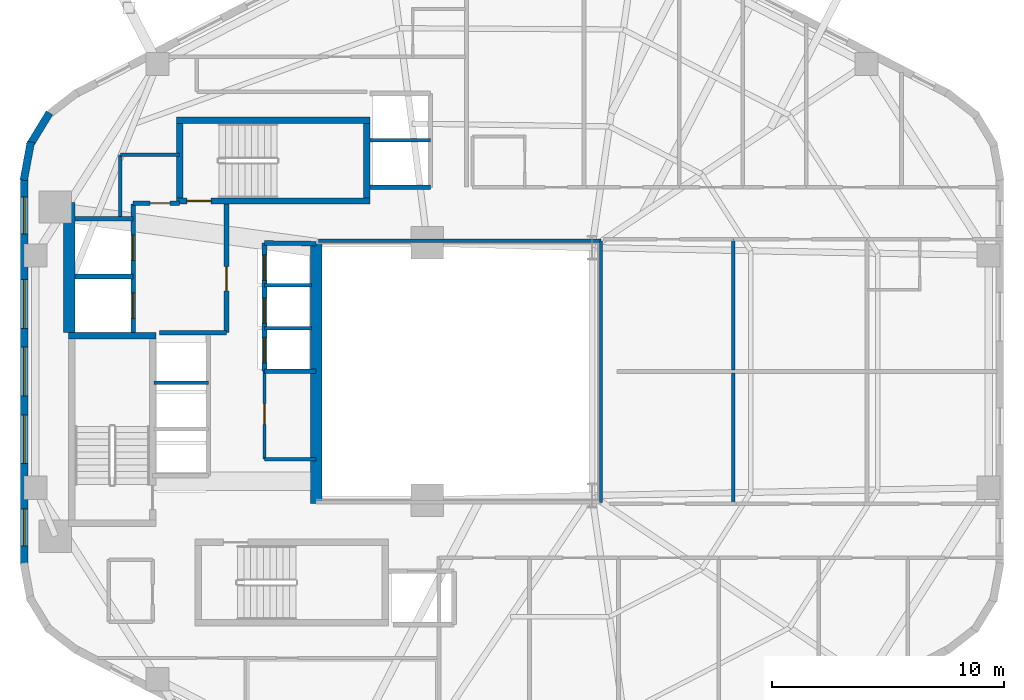
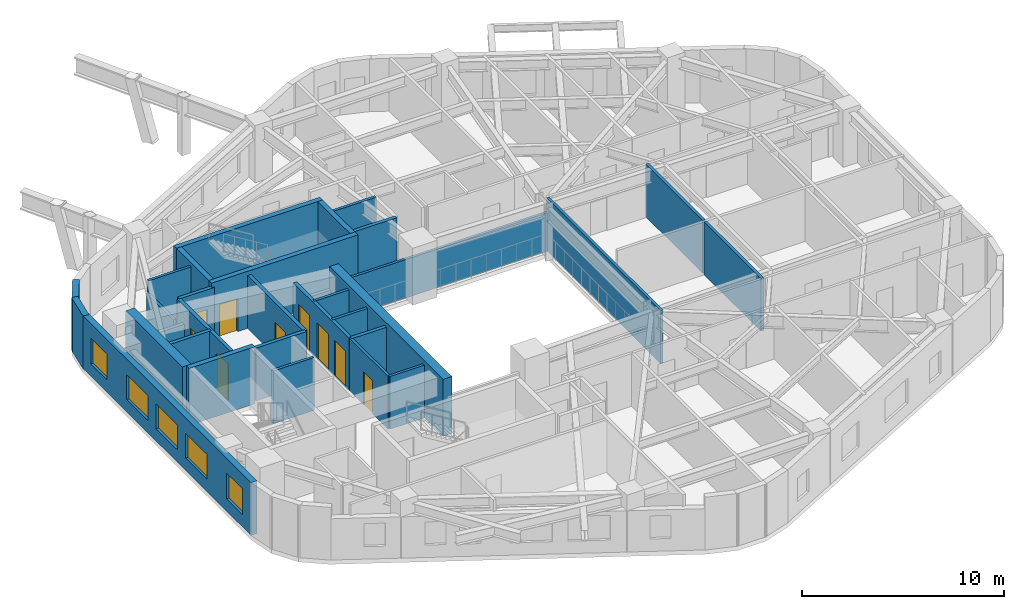
# One storey, part 4 of 8: 32 walls, 9 doors, 5 windows, 14 openings.
"""IFC4 building model written with IfcOpenShell, lengths in metres."""

from ifc_helpers import new_model, si_unit, direction, frame, frame_2d, origin, place, context, subcontext, project, spatial, rectangle, extrude, material, layer, layer_set, type_object, element, fill, save


model = new_model("IFC4")

# Units and contexts
model_context = context("Model", 3, precision=1e-05, world=origin(), true_north=direction((0.0, 1.0)))
body_context = subcontext(model_context, "Body", "Model", "MODEL_VIEW")
ifc_project = project(units=[si_unit("LENGTHUNIT", "METRE"), si_unit("AREAUNIT", "SQUARE_METRE"), si_unit("VOLUMEUNIT", "CUBIC_METRE"), si_unit("PLANEANGLEUNIT", "RADIAN"), si_unit("MASSUNIT", "GRAM", prefix="KILO"), si_unit("THERMODYNAMICTEMPERATUREUNIT", "KELVIN"), si_unit("POWERUNIT", "WATT")], contexts=[model_context])

# Site, building, storey
site_placement = place(None, origin())
site = spatial("IfcSite", under=ifc_project, at=site_placement, CompositionType="ELEMENT")
building_placement = place(site_placement, origin())
building = spatial("IfcBuilding", under=site, at=building_placement, Name="Skarre Station Tower", CompositionType="ELEMENT")
storey_placement = place(building_placement, frame((0.0, 0.0, 129.14990234375)))
storey = spatial("IfcBuildingStorey", under=building, at=storey_placement, Name="L34", CompositionType="ELEMENT", Elevation=129.14990234375)

# Wall, opening, door
ifc_material_1 = material(Name="Acoustic Steel-Stud Gypsum Partition", Category="steel")
ifc_layer_1 = layer(ifc_material_1, 0.14990234375, Name="Acoustic Steel-Stud Gypsum Partition")
ifc_layer_set_1 = layer_set([ifc_layer_1], Name="Acoustic Steel-Stud Gypsum Partition")
wall_type_1 = type_object("IfcWallType", Name="Fire-Rated Corridor Acoustic Partition 150", PredefinedType="PARTITIONING", material=ifc_layer_set_1)
wall_1_placement = place(storey_placement, frame((25.320068359375, 24.02001953125, 0.0), z_axis=(0.0, 0.0, 1.0), x_axis=(0.0, -1.0, 0.0)))
wall_1 = element("IfcWall", 1, at=wall_1_placement, inside=storey, type_object=wall_type_1, Name="L34 Interior Partition WL-PT-L34-RC1-W", PredefinedType="PARTITIONING", context=body_context, shape_type="SweptSolid", body=[
    extrude(rectangle(XDim=3.800048828125, YDim=0.14990234375, at=frame_2d((1.89990234375, 0.0))), origin(), (0.0, 0.0, 1.0), 3.190185546875),
])
opening_1_placement = place(wall_1_placement, frame((1.39990234375, 0.0, 0.0)))
opening_1 = element("IfcOpeningElement", 2, at=opening_1_placement, cuts=wall_1, Name="Opening DR-SVC90", PredefinedType="OPENING", context=body_context, shape_type="SweptSolid", body=[
    extrude(rectangle(XDim=0.89990234375, YDim=2.0, at=frame_2d((0.449951171875, 1.0))), frame((0.0, 0.0849609375, 0.0), z_axis=(0.0, -1.0, 0.0), x_axis=(1.0, 0.0, 0.0)), (0.0, 0.0, 1.0), 0.169921875),
])
ifc_material_2 = material(Name="Powder-Coated Hollow-Metal Acoustic Fire Leaf", Category="steel")
door_type_1 = type_object("IfcDoorType", Name="Service & Riser Fire Door FD60 900x2100", OperationType="SINGLE_SWING_LEFT", PredefinedType="DOOR", material=ifc_material_2)
door_1_placement = place(opening_1_placement, origin())
door_1 = element("IfcDoor", 3, at=door_1_placement, inside=storey, type_object=door_type_1, Name="L34 Housekeeping Room Door", OperationType="SINGLE_SWING_LEFT", OverallHeight=2.0, OverallWidth=0.89990234375, PredefinedType="DOOR", context=body_context, shape_type="SweptSolid", body=[
    extrude(rectangle(XDim=0.89990234375, YDim=2.0, at=frame_2d((0.449951171875, 1.0))), frame((0.0, 0.02490234375, 0.0), z_axis=(0.0, -1.0, 0.0), x_axis=(1.0, 0.0, 0.0)), (0.0, 0.0, 1.0), 0.050048828125),
])
fill(opening_1, door_1)

# Walls
wall_2_placement = place(storey_placement, frame((25.320068359375, 20.219970703125, 0.0), z_axis=(0.0, 0.0, 1.0), x_axis=(1.0, 0.0, 0.0)))
element("IfcWall", 4, at=wall_2_placement, inside=storey, type_object=wall_type_1, Name="L34 Interior Partition WL-PT-L34-RC1-S", PredefinedType="PARTITIONING", context=body_context, shape_type="SweptSolid", body=[
    extrude(rectangle(XDim=2.22998046875, YDim=0.14990234375, at=frame_2d((1.114990234375, 0.0))), origin(), (0.0, 0.0, 1.0), 3.190185546875),
])
wall_3_placement = place(storey_placement, frame((19.10009765625, 33.35009765625, 0.0), z_axis=(0.0, 0.0, 1.0), x_axis=(0.0, -1.0, 0.0)))
element("IfcWall", 5, at=wall_3_placement, inside=storey, type_object=wall_type_1, Name="L34 Interior Partition WL-PT-L34-CNW-W", PredefinedType="PARTITIONING", context=body_context, shape_type="SweptSolid", body=[
    extrude(rectangle(XDim=2.655029296875, YDim=0.14990234375, at=frame_2d((1.32763671875, 0.0))), origin(), (0.0, 0.0, 1.0), 2.420166015625),
])
wall_4_placement = place(storey_placement, frame((21.659912109375, 33.35009765625, 0.0), z_axis=(0.0, 0.0, 1.0), x_axis=(-1.0, 0.0, 0.0)))
element("IfcWall", 6, at=wall_4_placement, inside=storey, type_object=wall_type_1, Name="L34 Interior Partition WL-PT-L34-CNW-N1", PredefinedType="PARTITIONING", context=body_context, shape_type="SweptSolid", body=[
    extrude(rectangle(XDim=2.559814453125, YDim=0.14990234375, at=frame_2d((1.27978515625, 0.0))), origin(), (0.0, 0.0, 1.0), 3.190185546875),
])
wall_5_placement = place(storey_placement, frame((39.840087890625, 29.639892578125, 0.0), z_axis=(0.0, 0.0, 1.0), x_axis=(-1.0, 0.0, 0.0)))
element("IfcWall", 7, at=wall_5_placement, inside=storey, type_object=wall_type_1, Name="L34 Interior Partition WL-PT-L34-ATRW-N", PredefinedType="PARTITIONING", context=body_context, shape_type="SweptSolid", body=[
    extrude(rectangle(XDim=12.2001953125, YDim=0.14990234375, at=frame_2d((6.10009765625, 0.0))), origin(), (0.0, 0.0, 1.0), 2.3310546875),
])
wall_6_placement = place(storey_placement, frame((39.840087890625, 18.360107421875, 0.0), z_axis=(0.0, 0.0, 1.0), x_axis=(0.0, 1.0, 0.0)))
element("IfcWall", 8, at=wall_6_placement, inside=storey, type_object=wall_type_1, Name="L34 Interior Partition WL-PT-L34-ATRW-E", PredefinedType="PARTITIONING", context=body_context, shape_type="SweptSolid", body=[
    extrude(rectangle(XDim=11.27978515625, YDim=0.14990234375, at=frame_2d((5.639892578125, 0.0))), origin(), (0.0, 0.0, 1.0), 3.190185546875),
])

# Wall, openings, windows
ifc_material_3 = material(Name="Precast concrete C45/55", Category="concrete")
ifc_layer_2 = layer(ifc_material_3, 0.340087890625, Name="Precast concrete C45/55")
ifc_layer_set_2 = layer_set([ifc_layer_2], Name="Precast concrete C45/55")
wall_type_2 = type_object("IfcWallType", Name="Nordic Honed Precast Facet Wall 340", PredefinedType="STANDARD", material=ifc_layer_set_2)
wall_7_placement = place(storey_placement, frame((14.951904296875, 15.64794921875, 0.0), z_axis=(0.0, 0.0, 1.0), x_axis=(0.0, 1.0, 0.0)))
wall_7 = element("IfcWall", 9, at=wall_7_placement, inside=storey, type_object=wall_type_2, Name="L34 Facet 2 Nordic Precast Masonry Wall", PredefinedType="STANDARD", context=body_context, shape_type="SweptSolid", body=[
    extrude(rectangle(XDim=16.7041015625, YDim=0.340087890625, at=frame_2d((8.35205078125, 0.0))), origin(), (0.0, 0.0, 1.0), 3.190185546875),
])
opening_2_placement = place(wall_7_placement, frame((0.825927734375, 0.0, 0.75)))
opening_2 = element("IfcOpeningElement", 10, at=opening_2_placement, cuts=wall_7, Name="Opening WN-Z2A", PredefinedType="OPENING", context=body_context, shape_type="SweptSolid", body=[
    extrude(rectangle(XDim=1.60009765625, YDim=1.550048828125, at=frame_2d((0.800048828125, 0.77490234375))), frame((0.0, 0.179931640625, 0.0), z_axis=(0.0, -1.0, 0.0), x_axis=(1.0, 0.0, 0.0)), (0.0, 0.0, 1.0), 0.360107421875),
])
opening_3_placement = place(wall_7_placement, frame((4.387939453125, 0.0, 0.75)))
opening_3 = element("IfcOpeningElement", 11, at=opening_3_placement, cuts=wall_7, Name="Opening WN-Z2B", PredefinedType="OPENING", context=body_context, shape_type="SweptSolid", body=[
    extrude(rectangle(XDim=2.10009765625, YDim=1.5, at=frame_2d((1.050048828125, 0.75))), frame((0.0, 0.179931640625, 0.0), z_axis=(0.0, -1.0, 0.0), x_axis=(1.0, 0.0, 0.0)), (0.0, 0.0, 1.0), 0.360107421875),
])
opening_4_placement = place(wall_7_placement, frame((7.302001953125, 0.0, 0.75)))
opening_4 = element("IfcOpeningElement", 12, at=opening_4_placement, cuts=wall_7, Name="Opening WN-Z2B", PredefinedType="OPENING", context=body_context, shape_type="SweptSolid", body=[
    extrude(rectangle(XDim=2.10009765625, YDim=1.5, at=frame_2d((1.050048828125, 0.75))), frame((0.0, 0.179931640625, 0.0), z_axis=(0.0, -1.0, 0.0), x_axis=(1.0, 0.0, 0.0)), (0.0, 0.0, 1.0), 0.360107421875),
])
opening_5_placement = place(wall_7_placement, frame((10.216064453125, 0.0, 0.75)))
opening_5 = element("IfcOpeningElement", 13, at=opening_5_placement, cuts=wall_7, Name="Opening WN-Z2B", PredefinedType="OPENING", context=body_context, shape_type="SweptSolid", body=[
    extrude(rectangle(XDim=2.10009765625, YDim=1.5, at=frame_2d((1.050048828125, 0.75))), frame((0.0, 0.179931640625, 0.0), z_axis=(0.0, -1.0, 0.0), x_axis=(1.0, 0.0, 0.0)), (0.0, 0.0, 1.0), 0.360107421875),
])
opening_6_placement = place(wall_7_placement, frame((14.278076171875, 0.0, 0.75)))
opening_6 = element("IfcOpeningElement", 14, at=opening_6_placement, cuts=wall_7, Name="Opening WN-Z2A", PredefinedType="OPENING", context=body_context, shape_type="SweptSolid", body=[
    extrude(rectangle(XDim=1.60009765625, YDim=1.550048828125, at=frame_2d((0.800048828125, 0.77490234375))), frame((0.0, 0.179931640625, 0.0), z_axis=(0.0, -1.0, 0.0), x_axis=(1.0, 0.0, 0.0)), (0.0, 0.0, 1.0), 0.360107421875),
])
ifc_material_4 = material(Name="Low-Iron Triple Glazing with Bronze Anodized Frame", Category="glass")
window_type_1 = type_object("IfcWindowType", Name="Nordic Residential Tall Window 1600x1550", PartitioningType="SINGLE_PANEL", PredefinedType="WINDOW", material=ifc_material_4)
window_1_placement = place(opening_2_placement, origin())
window_1 = element("IfcWindow", 15, at=window_1_placement, inside=storey, type_object=window_type_1, Name="L34 Facade Window WL-FAC-L34-F2-1", OverallHeight=1.550048828125, OverallWidth=1.60009765625, PartitioningType="SINGLE_PANEL", PredefinedType="WINDOW", context=body_context, shape_type="SweptSolid", body=[
    extrude(rectangle(XDim=1.60009765625, YDim=1.550048828125, at=frame_2d((0.800048828125, 0.77490234375))), frame((0.0, 0.030029296875, 0.0), z_axis=(0.0, -1.0, 0.0), x_axis=(1.0, 0.0, 0.0)), (0.0, 0.0, 1.0), 0.06005859375),
])
fill(opening_2, window_1)
window_2_placement = place(opening_6_placement, origin())
window_2 = element("IfcWindow", 16, at=window_2_placement, inside=storey, type_object=window_type_1, Name="L34 Facade Window WL-FAC-L34-F2-5", OverallHeight=1.550048828125, OverallWidth=1.60009765625, PartitioningType="SINGLE_PANEL", PredefinedType="WINDOW", context=body_context, shape_type="SweptSolid", body=[
    extrude(rectangle(XDim=1.60009765625, YDim=1.550048828125, at=frame_2d((0.800048828125, 0.77490234375))), frame((0.0, 0.030029296875, 0.0), z_axis=(0.0, -1.0, 0.0), x_axis=(1.0, 0.0, 0.0)), (0.0, 0.0, 1.0), 0.06005859375),
])
fill(opening_6, window_2)
window_type_2 = type_object("IfcWindowType", Name="Nordic Residential Twin Window 2100x1500", PartitioningType="SINGLE_PANEL", PredefinedType="WINDOW", material=ifc_material_4)
window_3_placement = place(opening_3_placement, origin())
window_3 = element("IfcWindow", 17, at=window_3_placement, inside=storey, type_object=window_type_2, Name="L34 Facade Window WL-FAC-L34-F2-2", OverallHeight=1.5, OverallWidth=2.10009765625, PartitioningType="SINGLE_PANEL", PredefinedType="WINDOW", context=body_context, shape_type="SweptSolid", body=[
    extrude(rectangle(XDim=2.10009765625, YDim=1.5, at=frame_2d((1.050048828125, 0.75))), frame((0.0, 0.030029296875, 0.0), z_axis=(0.0, -1.0, 0.0), x_axis=(1.0, 0.0, 0.0)), (0.0, 0.0, 1.0), 0.06005859375),
])
fill(opening_3, window_3)
window_4_placement = place(opening_4_placement, origin())
window_4 = element("IfcWindow", 18, at=window_4_placement, inside=storey, type_object=window_type_2, Name="L34 Facade Window WL-FAC-L34-F2-3", OverallHeight=1.5, OverallWidth=2.10009765625, PartitioningType="SINGLE_PANEL", PredefinedType="WINDOW", context=body_context, shape_type="SweptSolid", body=[
    extrude(rectangle(XDim=2.10009765625, YDim=1.5, at=frame_2d((1.050048828125, 0.75))), frame((0.0, 0.030029296875, 0.0), z_axis=(0.0, -1.0, 0.0), x_axis=(1.0, 0.0, 0.0)), (0.0, 0.0, 1.0), 0.06005859375),
])
fill(opening_4, window_4)
window_5_placement = place(opening_5_placement, origin())
window_5 = element("IfcWindow", 19, at=window_5_placement, inside=storey, type_object=window_type_2, Name="L34 Facade Window WL-FAC-L34-F2-4", OverallHeight=1.5, OverallWidth=2.10009765625, PartitioningType="SINGLE_PANEL", PredefinedType="WINDOW", context=body_context, shape_type="SweptSolid", body=[
    extrude(rectangle(XDim=2.10009765625, YDim=1.5, at=frame_2d((1.050048828125, 0.75))), frame((0.0, 0.030029296875, 0.0), z_axis=(0.0, -1.0, 0.0), x_axis=(1.0, 0.0, 0.0)), (0.0, 0.0, 1.0), 0.06005859375),
])
fill(opening_5, window_5)

# Walls
ifc_layer_3 = layer(ifc_material_3, 0.330078125, Name="Precast concrete C45/55")
ifc_layer_set_3 = layer_set([ifc_layer_3], Name="Precast concrete C45/55")
wall_type_3 = type_object("IfcWallType", Name="Nordic Rounded Corner Precast Wall 330", PredefinedType="STANDARD", material=ifc_layer_set_3)
wall_8_placement = place(storey_placement, frame((14.931884765625, 32.258056640625, 0.0), z_axis=(0.0, 0.0, 1.0), x_axis=(0.181984991895, 0.983301308209, 0.0)))
element("IfcWall", 20, at=wall_8_placement, inside=storey, type_object=wall_type_3, Name="L34 Rounded Corner Precast Wall F2-1", PredefinedType="STANDARD", context=body_context, shape_type="SweptSolid", body=[
    extrude(rectangle(XDim=1.677001953125, YDim=0.330078125, at=frame_2d((0.83837890625, 0.0))), origin(), (0.0, 0.0, 1.0), 3.190185546875),
])
wall_9_placement = place(storey_placement, frame((15.169921875, 33.73193359375, 0.0), z_axis=(0.0, 0.0, 1.0), x_axis=(0.520519429557, 0.853849824883, 0.0)))
element("IfcWall", 21, at=wall_9_placement, inside=storey, type_object=wall_type_3, Name="L34 Rounded Corner Precast Wall F2-2", PredefinedType="STANDARD", context=body_context, shape_type="SweptSolid", body=[
    extrude(rectangle(XDim=1.67724609375, YDim=0.330078125, at=frame_2d((0.838623046875, 0.0))), origin(), (0.0, 0.0, 1.0), 3.190185546875),
])
ifc_material_5 = material(Name="Concrete C50/60", Category="concrete")
ifc_layer_4 = layer(ifc_material_5, 0.280029296875, Name="Concrete C50/60")
ifc_layer_set_4 = layer_set([ifc_layer_4], Name="Concrete C50/60")
wall_type_4 = type_object("IfcWallType", Name="RC Core Shear Wall 280", PredefinedType="SHEAR", material=ifc_layer_set_4)
wall_10_placement = place(storey_placement, frame((20.6298828125, 25.5400390625, 0.0), z_axis=(0.0, 0.0, 1.0), x_axis=(-1.0, 0.0, 0.0)))
element("IfcWall", 22, at=wall_10_placement, inside=storey, type_object=wall_type_4, Name="L34 Stair ST-1 North Shear Wall", PredefinedType="SHEAR", context=body_context, shape_type="SweptSolid", body=[
    extrude(rectangle(XDim=3.759765625, YDim=0.280029296875, at=frame_2d((1.8798828125, 0.0))), origin(), (0.0, 0.0, 1.0), 3.4501953125),
])

# Wall, opening, door
wall_11_placement = place(storey_placement, frame((21.52001953125, 31.360107421875, 0.0), z_axis=(0.0, 0.0, 1.0), x_axis=(1.0, 0.0, 0.0)))
wall_11 = element("IfcWall", 23, at=wall_11_placement, inside=storey, type_object=wall_type_4, Name="L34 Stair ST-3 South Shear Wall", PredefinedType="SHEAR", context=body_context, shape_type="SweptSolid", body=[
    extrude(rectangle(XDim=8.35986328125, YDim=0.280029296875, at=frame_2d((4.179931640625, 0.0))), origin(), (0.0, 0.0, 1.0), 3.4501953125),
])
opening_7_placement = place(wall_11_placement, frame((0.449951171875, 0.0, 0.0)))
opening_7 = element("IfcOpeningElement", 24, at=opening_7_placement, cuts=wall_11, Name="Opening DR-FD90", PredefinedType="OPENING", context=body_context, shape_type="SweptSolid", body=[
    extrude(rectangle(XDim=1.050048828125, YDim=2.0, at=frame_2d((0.52490234375, 1.0))), frame((0.0, 0.14990234375, 0.0), z_axis=(0.0, -1.0, 0.0), x_axis=(1.0, 0.0, 0.0)), (0.0, 0.0, 1.0), 0.300048828125),
])
ifc_material_6 = material(Name="Fire-Rated Insulated Steel Frame & Timber Core Leaf", Category="steel")
door_type_2 = type_object("IfcDoorType", Name="Stair & FSAE Lobby Fire Door FD90 1050x2150", OperationType="SINGLE_SWING_RIGHT", PredefinedType="DOOR", material=ifc_material_6)
door_2_placement = place(opening_7_placement, origin())
door_2 = element("IfcDoor", 25, at=door_2_placement, inside=storey, type_object=door_type_2, Name="L34 Stair ST-3 & FSAE Lobby Direct Exit Door", OperationType="SINGLE_SWING_LEFT", OverallHeight=2.0, OverallWidth=1.050048828125, PredefinedType="DOOR", context=body_context, shape_type="SweptSolid", body=[
    extrude(rectangle(XDim=1.050048828125, YDim=2.0, at=frame_2d((0.52490234375, 1.0))), frame((0.0, 0.02490234375, 0.0), z_axis=(0.0, -1.0, 0.0), x_axis=(1.0, 0.0, 0.0)), (0.0, 0.0, 1.0), 0.050048828125),
])
fill(opening_7, door_2)

# Walls
wall_12_placement = place(storey_placement, frame((29.8798828125, 34.840087890625, 0.0), z_axis=(0.0, 0.0, 1.0), x_axis=(-1.0, 0.0, 0.0)))
element("IfcWall", 26, at=wall_12_placement, inside=storey, type_object=wall_type_4, Name="L34 Stair ST-3 North Shear Wall", PredefinedType="SHEAR", context=body_context, shape_type="SweptSolid", body=[
    extrude(rectangle(XDim=8.35986328125, YDim=0.280029296875, at=frame_2d((4.179931640625, 0.0))), origin(), (0.0, 0.0, 1.0), 3.4501953125),
])
for number, where, z_axis, x_axis, name in (
    (27, (21.659912109375, 34.699951171875, 0.0), (0.0, 0.0, 1.0), (0.0, -1.0, 0.0), "L34 Stair ST-3 West Shear Wall"),
    (28, (29.739990234375, 31.5, 0.0), (0.0, 0.0, 1.0), (0.0, 1.0, 0.0), "L34 Stair ST-3 East Shear Wall"),
):
    element("IfcWall", number, at=place(storey_placement, frame(where, z_axis=z_axis, x_axis=x_axis)), inside=storey, type_object=wall_type_4, Name=name, PredefinedType="SHEAR", context=body_context, shape_type="SweptSolid", body=[
        extrude(rectangle(XDim=3.199951171875, YDim=0.280029296875, at=frame_2d((1.60009765625, 0.0))), origin(), (0.0, 0.0, 1.0), 3.4501953125),
    ])
ifc_material_7 = material(Name="Concrete C70/85", Category="concrete")
ifc_layer_5 = layer(ifc_material_7, 0.5, Name="Concrete C70/85")
ifc_layer_set_5 = layer_set([ifc_layer_5], Name="Concrete C70/85")
wall_type_5 = type_object("IfcWallType", Name="RC Core Shear Wall 500", PredefinedType="SHEAR", material=ifc_layer_set_5)
wall_13_placement = place(storey_placement, frame((16.89990234375, 25.679931640625, 0.0), z_axis=(0.0, 0.0, 1.0), x_axis=(0.0, 1.0, 0.0)))
element("IfcWall", 29, at=wall_13_placement, inside=storey, type_object=wall_type_5, Name="L34 Core West-North Shear Wall", PredefinedType="SHEAR", context=body_context, shape_type="SweptSolid", body=[
    extrude(rectangle(XDim=5.6201171875, YDim=0.5, at=frame_2d((2.81005859375, 0.0))), origin(), (0.0, 0.0, 1.0), 3.4501953125),
])
wall_14_placement = place(storey_placement, frame((27.550048828125, 29.550048828125, 0.0), z_axis=(0.0, 0.0, 1.0), x_axis=(0.0, -1.0, 0.0)))
element("IfcWall", 30, at=wall_14_placement, inside=storey, type_object=wall_type_5, Name="L34 Core East Atrium Shear Wall", PredefinedType="SHEAR", context=body_context, shape_type="SweptSolid", body=[
    extrude(rectangle(XDim=11.25, YDim=0.5, at=frame_2d((5.625, 0.0))), origin(), (0.0, 0.0, 1.0), 3.4501953125),
])

# Wall, openings, doors
ifc_material_8 = material(Name="Gypsum Concrete Shaft Assembly C30/37", Category="concrete")
ifc_layer_6 = layer(ifc_material_8, 0.199951171875, Name="Gypsum Concrete Shaft Assembly C30/37")
ifc_layer_set_6 = layer_set([ifc_layer_6], Name="Gypsum Concrete Shaft Assembly C30/37")
wall_type_6 = type_object("IfcWallType", Name="Shaft & Core Fire Partition 200", PredefinedType="PARTITIONING", material=ifc_layer_set_6)
wall_15_placement = place(storey_placement, frame((19.64990234375, 25.679931640625, 0.0), z_axis=(0.0, 0.0, 1.0), x_axis=(0.0, 1.0, 0.0)))
wall_15 = element("IfcWall", 31, at=wall_15_placement, inside=storey, type_object=wall_type_6, Name="L34 Interior Partition WL-PT-L34-FSAE-W", PredefinedType="PARTITIONING", context=body_context, shape_type="SweptSolid", body=[
    extrude(rectangle(XDim=5.5400390625, YDim=0.199951171875, at=frame_2d((2.77001953125, 0.0))), origin(), (0.0, 0.0, 1.0), 3.190185546875),
])
opening_8_placement = place(wall_15_placement, frame((0.6201171875, 0.0, 0.0)))
opening_8 = element("IfcOpeningElement", 32, at=opening_8_placement, cuts=wall_15, Name="Opening LD-FF1", PredefinedType="OPENING", context=body_context, shape_type="SweptSolid", body=[
    extrude(rectangle(XDim=1.10009765625, YDim=2.199951171875, at=frame_2d((0.550048828125, 1.10009765625))), frame((0.0, 0.10986328125, 0.0), z_axis=(0.0, -1.0, 0.0), x_axis=(1.0, 0.0, 0.0)), (0.0, 0.0, 1.0), 0.219970703125),
])
opening_9_placement = place(wall_15_placement, frame((3.1201171875, 0.0, 0.0)))
opening_9 = element("IfcOpeningElement", 33, at=opening_9_placement, cuts=wall_15, Name="Opening LD-FF2", PredefinedType="OPENING", context=body_context, shape_type="SweptSolid", body=[
    extrude(rectangle(XDim=1.10009765625, YDim=2.199951171875, at=frame_2d((0.550048828125, 1.10009765625))), frame((0.0, 0.10986328125, 0.0), z_axis=(0.0, -1.0, 0.0), x_axis=(1.0, 0.0, 0.0)), (0.0, 0.0, 1.0), 0.219970703125),
])
ifc_material_9 = material(Name="Fire-Rated Stainless Steel Grade 316L Sliding Leaves", Category="steel")
door_type_3 = type_object("IfcDoorType", Name="Fire Service Access Elevator Sliding Landing Door 1100x2200", OperationType="SLIDING_TO_LEFT", PredefinedType="DOOR", material=ifc_material_9)
door_3_placement = place(opening_8_placement, origin())
door_3 = element("IfcDoor", 34, at=door_3_placement, inside=storey, type_object=door_type_3, Name="L34 Firefighting Lift LF-FF1 Landing Door", OperationType="SLIDING_TO_LEFT", OverallHeight=2.199951171875, OverallWidth=1.10009765625, PredefinedType="DOOR", context=body_context, shape_type="SweptSolid", body=[
    extrude(rectangle(XDim=1.10009765625, YDim=2.199951171875, at=frame_2d((0.550048828125, 1.10009765625))), frame((0.0, 0.02490234375, 0.0), z_axis=(0.0, -1.0, 0.0), x_axis=(1.0, 0.0, 0.0)), (0.0, 0.0, 1.0), 0.050048828125),
])
fill(opening_8, door_3)
door_4_placement = place(opening_9_placement, origin())
door_4 = element("IfcDoor", 35, at=door_4_placement, inside=storey, type_object=door_type_3, Name="L34 Firefighting Lift LF-FF2 Landing Door", OperationType="SLIDING_TO_LEFT", OverallHeight=2.199951171875, OverallWidth=1.10009765625, PredefinedType="DOOR", context=body_context, shape_type="SweptSolid", body=[
    extrude(rectangle(XDim=1.10009765625, YDim=2.199951171875, at=frame_2d((0.550048828125, 1.10009765625))), frame((0.0, 0.02490234375, 0.0), z_axis=(0.0, -1.0, 0.0), x_axis=(1.0, 0.0, 0.0)), (0.0, 0.0, 1.0), 0.050048828125),
])
fill(opening_9, door_4)

# Wall
wall_16_placement = place(storey_placement, frame((20.79296875, 25.679931640625, 0.0), z_axis=(0.0, 0.0, 1.0), x_axis=(1.0, 0.0, 0.0)))
element("IfcWall", 36, at=wall_16_placement, inside=storey, type_object=wall_type_6, Name="L34 Interior Partition WL-PT-L34-FSAE-S", PredefinedType="PARTITIONING", context=body_context, shape_type="SweptSolid", body=[
    extrude(rectangle(XDim=2.886962890625, YDim=0.199951171875, at=frame_2d((1.443359375, 0.0))), origin(), (0.0, 0.0, 1.0), 3.190185546875),
])

# Wall, opening, door
wall_17_placement = place(storey_placement, frame((23.679931640625, 25.679931640625, 0.0), z_axis=(0.0, 0.0, 1.0), x_axis=(0.0, 1.0, 0.0)))
wall_17 = element("IfcWall", 37, at=wall_17_placement, inside=storey, type_object=wall_type_6, Name="L34 Interior Partition WL-PT-L34-FSAE-E", PredefinedType="PARTITIONING", context=body_context, shape_type="SweptSolid", body=[
    extrude(rectangle(XDim=5.5400390625, YDim=0.199951171875, at=frame_2d((2.77001953125, 0.0))), origin(), (0.0, 0.0, 1.0), 3.190185546875),
])
opening_10_placement = place(wall_17_placement, frame((1.800048828125, 0.0, 0.0)))
opening_10 = element("IfcOpeningElement", 38, at=opening_10_placement, cuts=wall_17, Name="Opening DR-FD90", PredefinedType="OPENING", context=body_context, shape_type="SweptSolid", body=[
    extrude(rectangle(XDim=1.050048828125, YDim=2.0, at=frame_2d((0.52490234375, 1.0))), frame((0.0, 0.10986328125, 0.0), z_axis=(0.0, -1.0, 0.0), x_axis=(1.0, 0.0, 0.0)), (0.0, 0.0, 1.0), 0.219970703125),
])
door_5_placement = place(opening_10_placement, origin())
door_5 = element("IfcDoor", 39, at=door_5_placement, inside=storey, type_object=door_type_2, Name="L34 FSAE Lobby Fire Door", OperationType="SINGLE_SWING_RIGHT", OverallHeight=2.0, OverallWidth=1.050048828125, PredefinedType="DOOR", context=body_context, shape_type="SweptSolid", body=[
    extrude(rectangle(XDim=1.050048828125, YDim=2.0, at=frame_2d((0.52490234375, 1.0))), frame((0.0, 0.02490234375, 0.0), z_axis=(0.0, -1.0, 0.0), x_axis=(1.0, 0.0, 0.0)), (0.0, 0.0, 1.0), 0.050048828125),
])
fill(opening_10, door_5)

wall_18_placement = place(storey_placement, frame((21.659912109375, 31.260009765625, 0.0), z_axis=(0.0, 0.0, 1.0), x_axis=(-1.0, 0.0, 0.0)))
wall_18 = element("IfcWall", 40, at=wall_18_placement, inside=storey, type_object=wall_type_6, Name="L34 Interior Partition WL-PT-L34-FSAE-N", PredefinedType="PARTITIONING", context=body_context, shape_type="SweptSolid", body=[
    extrude(rectangle(XDim=2.010009765625, YDim=0.199951171875, at=frame_2d((1.0048828125, 0.0))), origin(), (0.0, 0.0, 1.0), 3.190185546875),
])
opening_11_placement = place(wall_18_placement, frame((0.419921875, 0.0, 0.0)))
opening_11 = element("IfcOpeningElement", 41, at=opening_11_placement, cuts=wall_18, Name="Opening DR-SVC86", PredefinedType="OPENING", context=body_context, shape_type="SweptSolid", body=[
    extrude(rectangle(XDim=0.860107421875, YDim=2.0, at=frame_2d((0.43017578125, 1.0))), frame((0.0, 0.10986328125, 0.0), z_axis=(0.0, -1.0, 0.0), x_axis=(1.0, 0.0, 0.0)), (0.0, 0.0, 1.0), 0.219970703125),
])
door_type_4 = type_object("IfcDoorType", Name="Compact Riser Fire Door FD60 860x2100", OperationType="SINGLE_SWING_LEFT", PredefinedType="DOOR", material=ifc_material_2)
door_6_placement = place(opening_11_placement, origin())
door_6 = element("IfcDoor", 42, at=door_6_placement, inside=storey, type_object=door_type_4, Name="L34 Core Service Room Lobby Door", OperationType="SINGLE_SWING_LEFT", OverallHeight=2.0, OverallWidth=0.860107421875, PredefinedType="DOOR", context=body_context, shape_type="SweptSolid", body=[
    extrude(rectangle(XDim=0.860107421875, YDim=2.0, at=frame_2d((0.43017578125, 1.0))), frame((0.0, 0.02490234375, 0.0), z_axis=(0.0, -1.0, 0.0), x_axis=(1.0, 0.0, 0.0)), (0.0, 0.0, 1.0), 0.050048828125),
])
fill(opening_11, door_6)

# Walls
wall_19_placement = place(storey_placement, frame((17.14990234375, 28.10009765625, 0.0), z_axis=(0.0, 0.0, 1.0), x_axis=(1.0, 0.0, 0.0)))
element("IfcWall", 43, at=wall_19_placement, inside=storey, type_object=wall_type_6, Name="L34 Interior Partition WL-PT-L34-FF-DIV", PredefinedType="PARTITIONING", context=body_context, shape_type="SweptSolid", body=[
    extrude(rectangle(XDim=2.5, YDim=0.199951171875, at=frame_2d((1.25, 0.0))), origin(), (0.0, 0.0, 1.0), 3.190185546875),
])
wall_20_placement = place(storey_placement, frame((19.64990234375, 30.60009765625, 0.0), z_axis=(0.0, 0.0, 1.0), x_axis=(-1.0, 0.0, 0.0)))
element("IfcWall", 44, at=wall_20_placement, inside=storey, type_object=wall_type_6, Name="L34 Interior Partition WL-PT-L34-FF-N", PredefinedType="PARTITIONING", context=body_context, shape_type="SweptSolid", body=[
    extrude(rectangle(XDim=2.5, YDim=0.199951171875, at=frame_2d((1.25, 0.0))), origin(), (0.0, 0.0, 1.0), 2.090087890625),
])
wall_21_placement = place(storey_placement, frame((32.47998046875, 31.949951171875, 0.0), z_axis=(0.0, 0.0, 1.0), x_axis=(-1.0, 0.0, 0.0)))
element("IfcWall", 45, at=wall_21_placement, inside=storey, type_object=wall_type_6, Name="L34 Interior Partition WL-PT-L34-EX-S", PredefinedType="PARTITIONING", context=body_context, shape_type="SweptSolid", body=[
    extrude(rectangle(XDim=2.60009765625, YDim=0.199951171875, at=frame_2d((1.300048828125, 0.0))), origin(), (0.0, 0.0, 1.0), 3.190185546875),
])
wall_22_placement = place(storey_placement, frame((29.875, 33.97998046875, 0.0), z_axis=(0.0, 0.0, 1.0), x_axis=(1.0, 0.0, 0.0)))
element("IfcWall", 46, at=wall_22_placement, inside=storey, type_object=wall_type_6, Name="L34 Interior Partition WL-PT-L34-EX-DIV", PredefinedType="PARTITIONING", context=body_context, shape_type="SweptSolid", body=[
    extrude(rectangle(XDim=2.60498046875, YDim=0.159912109375, at=frame_2d((1.302490234375, 0.0))), origin(), (0.0, 0.0, 1.0), 3.190185546875),
])
wall_23_placement = place(storey_placement, frame((20.550048828125, 23.52001953125, 0.0), z_axis=(0.0, 0.0, 1.0), x_axis=(1.0, 0.0, 0.0)))
element("IfcWall", 47, at=wall_23_placement, inside=storey, type_object=wall_type_6, Name="L34 Interior Partition WL-PT-L34-B3-D2", PredefinedType="PARTITIONING", context=body_context, shape_type="SweptSolid", body=[
    extrude(rectangle(XDim=2.349853515625, YDim=0.159912109375, at=frame_2d((1.1748046875, 0.0))), origin(), (0.0, 0.0, 1.0), 3.190185546875),
])

# Wall, openings, doors
wall_24_placement = place(storey_placement, frame((25.320068359375, 29.550048828125, 0.0), z_axis=(0.0, 0.0, 1.0), x_axis=(0.0, -1.0, 0.0)))
wall_24 = element("IfcWall", 48, at=wall_24_placement, inside=storey, type_object=wall_type_6, Name="L34 Interior Partition WL-PT-L34-B2-W", PredefinedType="PARTITIONING", context=body_context, shape_type="SweptSolid", body=[
    extrude(rectangle(XDim=5.530029296875, YDim=0.199951171875, at=frame_2d((2.76513671875, 0.0))), origin(), (0.0, 0.0, 1.0), 3.190185546875),
])
opening_12_placement = place(wall_24_placement, frame((0.52001953125, 0.0, 0.0)))
opening_12 = element("IfcOpeningElement", 49, at=opening_12_placement, cuts=wall_24, Name="Opening LD-P6", PredefinedType="OPENING", context=body_context, shape_type="SweptSolid", body=[
    extrude(rectangle(XDim=1.10009765625, YDim=2.199951171875, at=frame_2d((0.550048828125, 1.10009765625))), frame((0.0, 0.10986328125, 0.0), z_axis=(0.0, -1.0, 0.0), x_axis=(1.0, 0.0, 0.0)), (0.0, 0.0, 1.0), 0.219970703125),
])
opening_13_placement = place(wall_24_placement, frame((2.3701171875, 0.0, 0.0)))
opening_13 = element("IfcOpeningElement", 50, at=opening_13_placement, cuts=wall_24, Name="Opening LD-P5", PredefinedType="OPENING", context=body_context, shape_type="SweptSolid", body=[
    extrude(rectangle(XDim=1.10009765625, YDim=2.199951171875, at=frame_2d((0.550048828125, 1.10009765625))), frame((0.0, 0.10986328125, 0.0), z_axis=(0.0, -1.0, 0.0), x_axis=(1.0, 0.0, 0.0)), (0.0, 0.0, 1.0), 0.219970703125),
])
opening_14_placement = place(wall_24_placement, frame((4.070068359375, 0.0, 0.0)))
opening_14 = element("IfcOpeningElement", 51, at=opening_14_placement, cuts=wall_24, Name="Opening LD-P4", PredefinedType="OPENING", context=body_context, shape_type="SweptSolid", body=[
    extrude(rectangle(XDim=1.10009765625, YDim=2.199951171875, at=frame_2d((0.550048828125, 1.10009765625))), frame((0.0, 0.10986328125, 0.0), z_axis=(0.0, -1.0, 0.0), x_axis=(1.0, 0.0, 0.0)), (0.0, 0.0, 1.0), 0.219970703125),
])
ifc_material_10 = material(Name="Brushed Bronze Stainless Steel Sliding Leaves", Category="steel")
door_type_5 = type_object("IfcDoorType", Name="Passenger Elevator Center-Parting Sliding Door 1100x2200", OperationType="SLIDING_TO_LEFT", PredefinedType="DOOR", material=ifc_material_10)
door_7_placement = place(opening_12_placement, origin())
door_7 = element("IfcDoor", 52, at=door_7_placement, inside=storey, type_object=door_type_5, Name="L34 Passenger Lift LF-P6 Landing Door", OperationType="SLIDING_TO_LEFT", OverallHeight=2.199951171875, OverallWidth=1.10009765625, PredefinedType="DOOR", context=body_context, shape_type="SweptSolid", body=[
    extrude(rectangle(XDim=1.10009765625, YDim=2.199951171875, at=frame_2d((0.550048828125, 1.10009765625))), frame((0.0, 0.02490234375, 0.0), z_axis=(0.0, -1.0, 0.0), x_axis=(1.0, 0.0, 0.0)), (0.0, 0.0, 1.0), 0.050048828125),
])
fill(opening_12, door_7)
door_8_placement = place(opening_13_placement, origin())
door_8 = element("IfcDoor", 53, at=door_8_placement, inside=storey, type_object=door_type_5, Name="L34 Passenger Lift LF-P5 Landing Door", OperationType="SLIDING_TO_LEFT", OverallHeight=2.199951171875, OverallWidth=1.10009765625, PredefinedType="DOOR", context=body_context, shape_type="SweptSolid", body=[
    extrude(rectangle(XDim=1.10009765625, YDim=2.199951171875, at=frame_2d((0.550048828125, 1.10009765625))), frame((0.0, 0.02490234375, 0.0), z_axis=(0.0, -1.0, 0.0), x_axis=(1.0, 0.0, 0.0)), (0.0, 0.0, 1.0), 0.050048828125),
])
fill(opening_13, door_8)
door_9_placement = place(opening_14_placement, origin())
door_9 = element("IfcDoor", 54, at=door_9_placement, inside=storey, type_object=door_type_5, Name="L34 Passenger Lift LF-P4 Landing Door", OperationType="SLIDING_TO_LEFT", OverallHeight=2.199951171875, OverallWidth=1.10009765625, PredefinedType="DOOR", context=body_context, shape_type="SweptSolid", body=[
    extrude(rectangle(XDim=1.10009765625, YDim=2.199951171875, at=frame_2d((0.550048828125, 1.10009765625))), frame((0.0, 0.02490234375, 0.0), z_axis=(0.0, -1.0, 0.0), x_axis=(1.0, 0.0, 0.0)), (0.0, 0.0, 1.0), 0.050048828125),
])
fill(opening_14, door_9)

# Walls
wall_25_placement = place(storey_placement, frame((27.550048828125, 29.52001953125, 0.0), z_axis=(0.0, 0.0, 1.0), x_axis=(-0.999909343457, 0.013464949556, 0.0)))
element("IfcWall", 55, at=wall_25_placement, inside=storey, type_object=wall_type_6, Name="L34 Interior Partition WL-PT-L34-B2-N", PredefinedType="PARTITIONING", context=body_context, shape_type="SweptSolid", body=[
    extrude(rectangle(XDim=2.230224609375, YDim=0.199951171875, at=frame_2d((1.115234375, 0.0))), origin(), (0.0, 0.0, 1.0), 2.090087890625),
])
wall_26_placement = place(storey_placement, frame((25.320068359375, 24.02001953125, 0.0), z_axis=(0.0, 0.0, 1.0), x_axis=(1.0, 0.0, 0.0)))
element("IfcWall", 56, at=wall_26_placement, inside=storey, type_object=wall_type_6, Name="L34 Interior Partition WL-PT-L34-B2-S", PredefinedType="PARTITIONING", context=body_context, shape_type="SweptSolid", body=[
    extrude(rectangle(XDim=2.22998046875, YDim=0.199951171875, at=frame_2d((1.114990234375, 0.0))), origin(), (0.0, 0.0, 1.0), 3.190185546875),
])
for number, where, z_axis, x_axis, name in (
    (57, (25.320068359375, 25.8701171875, 0.0), (0.0, 0.0, 1.0), (1.0, 0.0, 0.0), "L34 Interior Partition WL-PT-L34-B2-D258"),
    (58, (25.320068359375, 27.719970703125, 0.0), (0.0, 0.0, 1.0), (1.0, 0.0, 0.0), "L34 Interior Partition WL-PT-L34-B2-D277"),
):
    element("IfcWall", number, at=place(storey_placement, frame(where, z_axis=z_axis, x_axis=x_axis)), inside=storey, type_object=wall_type_6, Name=name, PredefinedType="PARTITIONING", context=body_context, shape_type="SweptSolid", body=[
        extrude(rectangle(XDim=2.030029296875, YDim=0.159912109375, at=frame_2d((1.01513671875, 0.0))), origin(), (0.0, 0.0, 1.0), 3.190185546875),
    ])
ifc_layer_7 = layer(ifc_material_1, 0.1650390625, Name="Acoustic Steel-Stud Gypsum Partition")
ifc_layer_set_7 = layer_set([ifc_layer_7], Name="Acoustic Steel-Stud Gypsum Partition")
wall_type_7 = type_object("IfcWallType", Name="Suite Demising Acoustic Partition 165", PredefinedType="PARTITIONING", material=ifc_layer_set_7)
for number, where, z_axis, x_axis, name in (
    (59, (45.549072265625, 24.070068359375, 0.0), (0.0, 0.0, 1.0), (0.0, 1.0, 0.0), "L34 Interior Partition WL-PT-L34-EWN-P1"),
    (60, (45.549072265625, 18.2900390625, 0.0), (0.0, 0.0, 1.0), (0.0, 1.0, 0.0), "L34 Interior Partition WL-PT-L34-EWS-P1"),
):
    element("IfcWall", number, at=place(storey_placement, frame(where, z_axis=z_axis, x_axis=x_axis)), inside=storey, type_object=wall_type_7, Name=name, PredefinedType="PARTITIONING", context=body_context, shape_type="SweptSolid", body=[
        extrude(rectangle(XDim=5.639892578125, YDim=0.1650390625, at=frame_2d((2.81982421875, 0.0))), origin(), (0.0, 0.0, 1.0), 3.190185546875),
    ])

save(model, "model.ifc")
